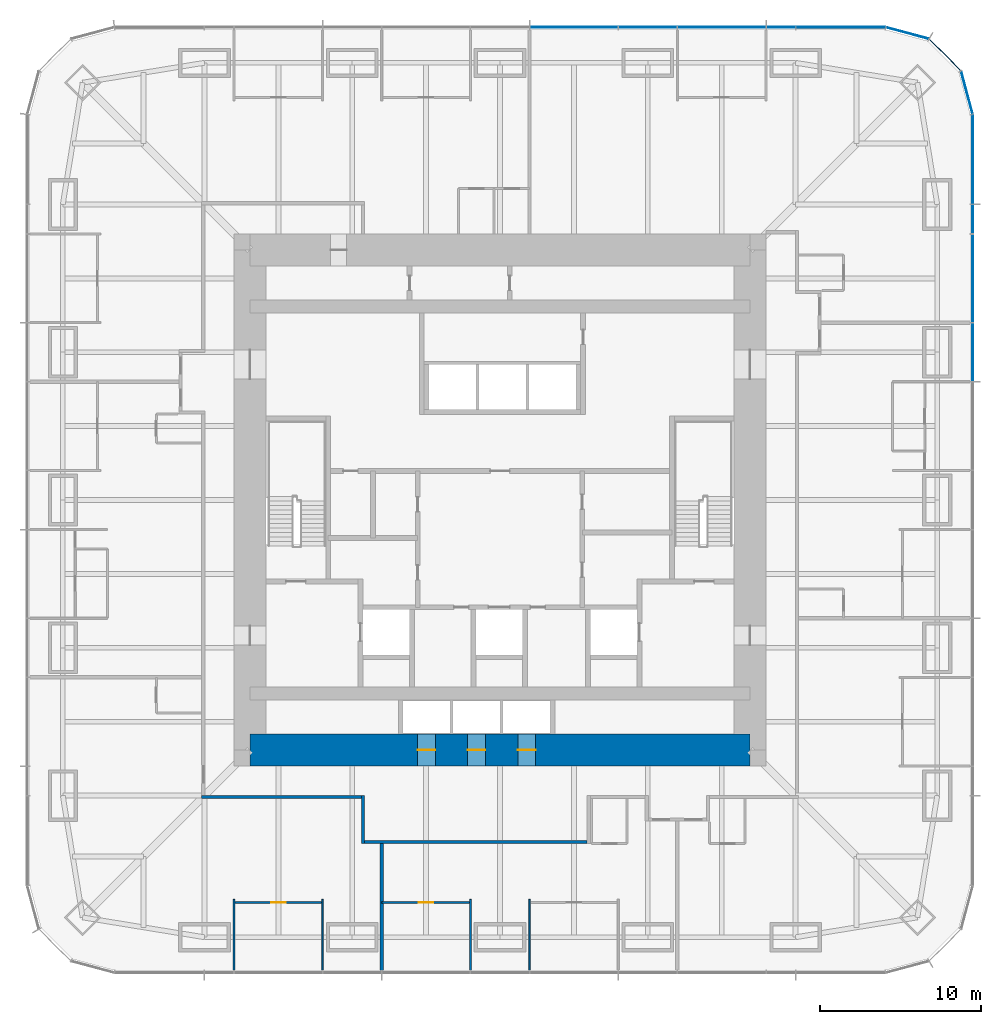
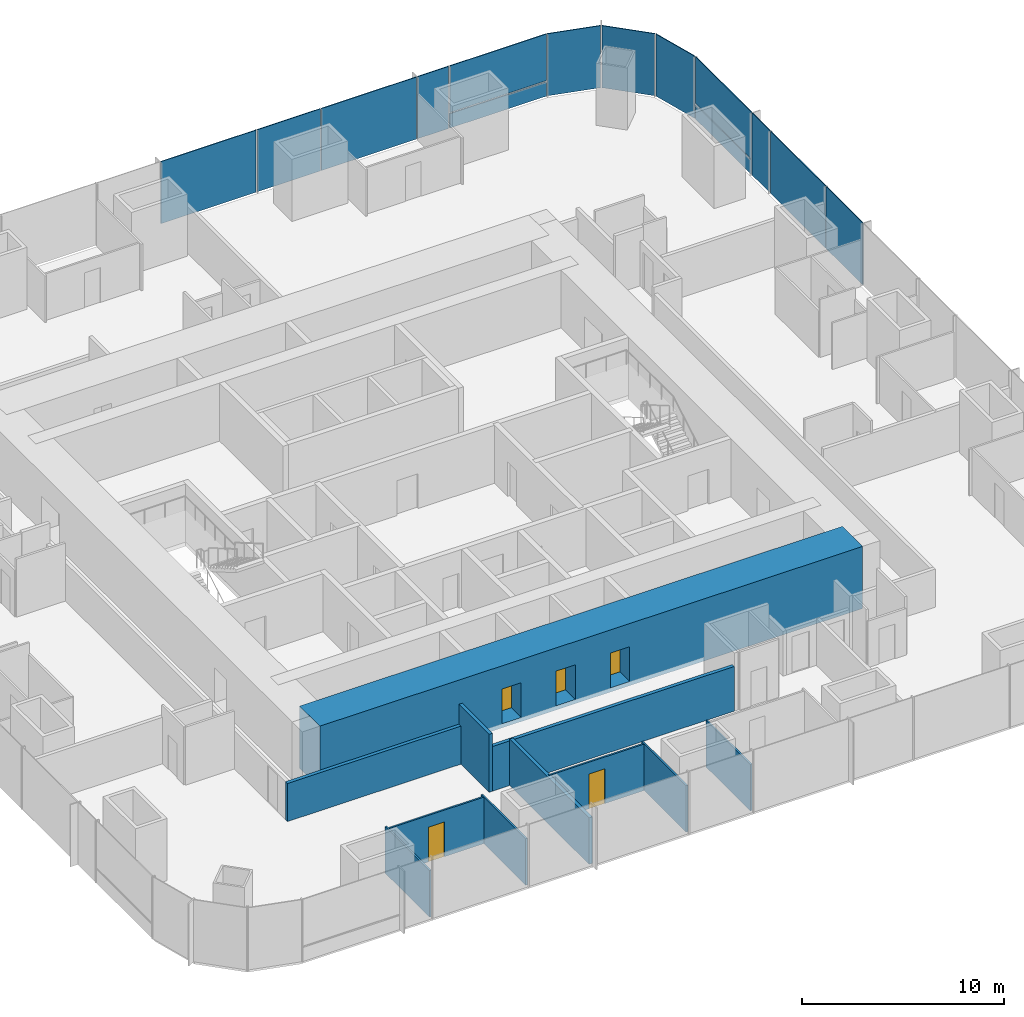
# One storey, part 8 of 13: 14 plates, 11 walls, 5 doors, 5 openings, 3 elements without a shape of their own.
"""IFC4 building model written with IfcOpenShell, lengths in metres."""

from ifc_helpers import new_model, si_unit, direction, frame, frame_2d, origin, origin_2d, place, context, subcontext, project, spatial, rectangle, extrude, material, layer, layer_set, type_object, element, fill, aggregate, save


model = new_model("IFC4")

# Units and contexts
model_context = context("Model", 3, precision=1e-05, world=origin(), true_north=direction((0.0, 1.0)))
body_context = subcontext(model_context, "Body", "Model", "MODEL_VIEW")
ifc_project = project(units=[si_unit("LENGTHUNIT", "METRE"), si_unit("AREAUNIT", "SQUARE_METRE"), si_unit("VOLUMEUNIT", "CUBIC_METRE"), si_unit("PLANEANGLEUNIT", "RADIAN"), si_unit("MASSUNIT", "GRAM", prefix="KILO")], contexts=[model_context])

# Site, building, storey
site_placement = place(None, origin())
site = spatial("IfcSite", under=ifc_project, at=site_placement, CompositionType="ELEMENT")
building_placement = place(site_placement, origin())
building = spatial("IfcBuilding", under=site, at=building_placement, Name="Khuree Lantern Residences", CompositionType="ELEMENT")
storey_placement = place(building_placement, frame((0.0, 0.0, 118.5)))
storey = spatial("IfcBuildingStorey", under=building, at=storey_placement, Name="L29", CompositionType="ELEMENT", Elevation=118.5)

# Curtain wall, plates
ifc_material_1 = material(Name="Bronze anodised aluminium", Category="aluminium")
curtain_wall_type_1 = type_object("IfcCurtainWallType", Name="CW-T2 TOWER CORNER CURTAIN WALL", PredefinedType="USERDEFINED", material=ifc_material_1)
curtain_wall_1_placement = place(storey_placement, origin())
curtain_wall_1 = element("IfcCurtainWall", 1, at=curtain_wall_1_placement, inside=storey, type_object=curtain_wall_type_1, Name="L29 NORTH-EAST CORNER CURTAIN WALL", ObjectType="Faceted corner curtain wall", PredefinedType="USERDEFINED")
ifc_material_2 = material(Name="Bronze tinted triple glazing", Category="glass")
ifc_layer_1 = layer(ifc_material_2, 0.048095703125)
ifc_layer_set_1 = layer_set([ifc_layer_1], Name="FACET PANEL P4")
plate_type_1 = type_object("IfcPlateType", Name="FACET PANEL P4", PredefinedType="CURTAIN_PANEL", material=ifc_layer_set_1)
plate_1_placement = place(storey_placement, frame((28.938720703125, 25.248046875, 0.0), z_axis=(0.0, 0.0, 1.0), x_axis=(-0.258819105321, 0.965925810153, 0.0)))
plate_1 = element("IfcPlate", 2, at=plate_1_placement, type_object=plate_type_1, Name="L29 NORTH-EAST CORNER PANEL 15.1", PredefinedType="CURTAIN_PANEL", context=body_context, shape_type="SweptSolid", body=[
    extrude(rectangle(XDim=2.71923828125, YDim=0.048095703125, at=origin_2d()), origin(), (0.0, 0.0, 1.0), 3.75),
])
plate_2_placement = place(storey_placement, frame((27.58837890625, 27.58837890625, 0.0), z_axis=(0.0, 0.0, 1.0), x_axis=(-0.707106781187, 0.707106781187, 0.0)))
plate_2 = element("IfcPlate", 3, at=plate_2_placement, type_object=plate_type_1, Name="L29 NORTH-EAST CORNER PANEL 16.1", PredefinedType="CURTAIN_PANEL", context=body_context, shape_type="SweptSolid", body=[
    extrude(rectangle(XDim=2.715087890625, YDim=0.048095703125, at=origin_2d()), origin(), (0.0, 0.0, 1.0), 3.75),
])
plate_3_placement = place(storey_placement, frame((25.248046875, 28.938720703125, 0.0), z_axis=(0.0, 0.0, 1.0), x_axis=(-0.965925810153, 0.258819105321, 0.0)))
plate_3 = element("IfcPlate", 4, at=plate_3_placement, type_object=plate_type_1, Name="L29 NORTH-EAST CORNER PANEL 17.1", PredefinedType="CURTAIN_PANEL", context=body_context, shape_type="SweptSolid", body=[
    extrude(rectangle(XDim=2.71923828125, YDim=0.048095703125, at=origin_2d()), origin(), (0.0, 0.0, 1.0), 3.75),
])
aggregate(curtain_wall_1, [plate_1, plate_2, plate_3])

# Curtain wall, plate
curtain_wall_type_2 = type_object("IfcCurtainWallType", Name="CW-T1 TOWER FACE CURTAIN WALL", PredefinedType="USERDEFINED", material=ifc_material_1)
curtain_wall_2_placement = place(storey_placement, origin())
curtain_wall_2 = element("IfcCurtainWall", 5, at=curtain_wall_2_placement, inside=storey, type_object=curtain_wall_type_2, Name="L29 EAST FACE CURTAIN WALL", ObjectType="Stick-built curtain wall", PredefinedType="USERDEFINED")
ifc_material_3 = material(Name="Bronze tinted triple glazing with a ceramic-fritted spandrel band", Category="glass")
ifc_layer_2 = layer(ifc_material_3, 0.048095703125)
ifc_layer_set_2 = layer_set([ifc_layer_2], Name="FIXED LIGHT PANEL P11")
plate_type_2 = type_object("IfcPlateType", Name="FIXED LIGHT PANEL P11", PredefinedType="CURTAIN_PANEL", material=ifc_layer_set_2)
plate_4_placement = place(storey_placement, frame((29.300048828125, 13.739990234375, 0.0), z_axis=(0.0, 0.0, 1.0), x_axis=(0.0, 1.0, 0.0)))
plate_4 = element("IfcPlate", 6, at=plate_4_placement, type_object=plate_type_2, Name="L29 EAST FACE PANEL 12.1", PredefinedType="CURTAIN_PANEL", context=body_context, shape_type="SweptSolid", body=[
    extrude(rectangle(XDim=5.430908203125, YDim=0.048095703125, at=origin_2d()), origin(), (0.0, 0.0, 1.0), 3.75),
])

# Curtain wall, plates
curtain_wall_3_placement = place(storey_placement, origin())
curtain_wall_3 = element("IfcCurtainWall", 7, at=curtain_wall_3_placement, inside=storey, type_object=curtain_wall_type_2, Name="L29 NORTH FACE CURTAIN WALL", ObjectType="Stick-built curtain wall", PredefinedType="USERDEFINED")
plate_5_placement = place(storey_placement, frame((13.739990234375, 29.300048828125, 0.0), z_axis=(0.0, 0.0, 1.0), x_axis=(-1.0, 0.0, 0.0)))
plate_5 = element("IfcPlate", 8, at=plate_5_placement, type_object=plate_type_2, Name="L29 NORTH FACE PANEL 20.1", PredefinedType="CURTAIN_PANEL", context=body_context, shape_type="SweptSolid", body=[
    extrude(rectangle(XDim=5.430908203125, YDim=0.048095703125, at=origin_2d()), origin(), (0.0, 0.0, 1.0), 3.75),
])
plate_6_placement = place(storey_placement, frame((4.580078125, 29.300048828125, 0.0), z_axis=(0.0, 0.0, 1.0), x_axis=(-1.0, 0.0, 0.0)))
plate_6 = element("IfcPlate", 9, at=plate_6_placement, type_object=plate_type_2, Name="L29 NORTH FACE PANEL 22.1", PredefinedType="CURTAIN_PANEL", context=body_context, shape_type="SweptSolid", body=[
    extrude(rectangle(XDim=5.430908203125, YDim=0.048095703125, at=origin_2d()), origin(), (0.0, 0.0, 1.0), 3.75),
])

# Plate
ifc_material_4 = material(Name="Bronze tinted triple glazing, two aluminium-framed sashes in one frame", Category="aluminium")
ifc_layer_3 = layer(ifc_material_4, 0.048095703125)
ifc_layer_set_3 = layer_set([ifc_layer_3], Name="SASH PAIR PANEL P12")
plate_type_3 = type_object("IfcPlateType", Name="SASH PAIR PANEL P12", PredefinedType="CURTAIN_PANEL", material=ifc_layer_set_3)
plate_7_placement = place(storey_placement, frame((29.300048828125, 9.159912109375, 0.0), z_axis=(0.0, 0.0, 1.0), x_axis=(0.0, 1.0, 0.0)))
plate_7 = element("IfcPlate", 10, at=plate_7_placement, type_object=plate_type_3, Name="L29 EAST FACE PANEL 11.1", PredefinedType="CURTAIN_PANEL", context=body_context, shape_type="SweptSolid", body=[
    extrude(rectangle(XDim=3.59912109375, YDim=0.048095703125, at=origin_2d()), origin(), (0.0, 0.0, 1.0), 3.75),
])

plate_8_placement = place(storey_placement, frame((9.159912109375, 29.300048828125, 0.0), z_axis=(0.0, 0.0, 1.0), x_axis=(-1.0, 0.0, 0.0)))
plate_8 = element("IfcPlate", 11, at=plate_8_placement, type_object=plate_type_3, Name="L29 NORTH FACE PANEL 21.1", PredefinedType="CURTAIN_PANEL", context=body_context, shape_type="SweptSolid", body=[
    extrude(rectangle(XDim=3.59912109375, YDim=0.048095703125, at=origin_2d()), origin(), (0.0, 0.0, 1.0), 3.75),
])

ifc_material_5 = material(Name="Bronze tinted triple glazing, aluminium-framed sash", Category="aluminium")
ifc_layer_4 = layer(ifc_material_5, 0.048095703125)
ifc_layer_set_4 = layer_set([ifc_layer_4], Name="SASH PANEL P3")
plate_type_4 = type_object("IfcPlateType", Name="SASH PANEL P3", PredefinedType="CURTAIN_PANEL", material=ifc_layer_set_4)
plate_9_placement = place(storey_placement, frame((29.300048828125, 17.404052734375, 0.0), z_axis=(0.0, 0.0, 1.0), x_axis=(0.0, 1.0, 0.0)))
plate_9 = element("IfcPlate", 12, at=plate_9_placement, type_object=plate_type_4, Name="L29 EAST FACE PANEL 13.1", PredefinedType="CURTAIN_PANEL", context=body_context, shape_type="SweptSolid", body=[
    extrude(rectangle(XDim=1.76708984375, YDim=0.048095703125, at=origin_2d()), origin(), (0.0, 0.0, 1.0), 3.75),
])

plate_10_placement = place(storey_placement, frame((17.404052734375, 29.300048828125, 0.0), z_axis=(0.0, 0.0, 1.0), x_axis=(-1.0, 0.0, 0.0)))
plate_10 = element("IfcPlate", 13, at=plate_10_placement, type_object=plate_type_4, Name="L29 NORTH FACE PANEL 19.1", PredefinedType="CURTAIN_PANEL", context=body_context, shape_type="SweptSolid", body=[
    extrude(rectangle(XDim=1.76708984375, YDim=0.048095703125, at=origin_2d()), origin(), (0.0, 0.0, 1.0), 3.75),
])

ifc_material_6 = material(Name="Bronze anodised aluminium insulated spandrel", Category="aluminium")
ifc_layer_5 = layer(ifc_material_6, 0.06005859375)
ifc_layer_set_5 = layer_set([ifc_layer_5], Name="SPANDREL PANEL P2")
plate_type_5 = type_object("IfcPlateType", Name="SPANDREL PANEL P2", PredefinedType="CURTAIN_PANEL", material=ifc_layer_set_5)
plate_11_placement = place(storey_placement, frame((29.300048828125, 21.10791015625, 0.0), z_axis=(0.0, 0.0, 1.0), x_axis=(0.0, 1.0, 0.0)))
plate_11 = element("IfcPlate", 14, at=plate_11_placement, type_object=plate_type_5, Name="L29 EAST FACE PANEL 14.1", PredefinedType="CURTAIN_PANEL", context=body_context, shape_type="SweptSolid", body=[
    extrude(rectangle(XDim=5.5107421875, YDim=0.06005859375, at=origin_2d()), origin(), (0.0, 0.0, 1.0), 0.867431640625),
])

plate_12_placement = place(storey_placement, frame((21.10791015625, 29.300048828125, 0.0), z_axis=(0.0, 0.0, 1.0), x_axis=(-1.0, 0.0, 0.0)))
plate_12 = element("IfcPlate", 15, at=plate_12_placement, type_object=plate_type_5, Name="L29 NORTH FACE PANEL 18.1", PredefinedType="CURTAIN_PANEL", context=body_context, shape_type="SweptSolid", body=[
    extrude(rectangle(XDim=5.5107421875, YDim=0.06005859375, at=origin_2d()), origin(), (0.0, 0.0, 1.0), 0.867431640625),
])

ifc_layer_6 = layer(ifc_material_2, 0.048095703125)
ifc_layer_set_6 = layer_set([ifc_layer_6], Name="VISION PANEL P1")
plate_type_6 = type_object("IfcPlateType", Name="VISION PANEL P1", PredefinedType="CURTAIN_PANEL", material=ifc_layer_set_6)
plate_13_placement = place(storey_placement, frame((29.300048828125, 21.1083984375, 0.9326171875), z_axis=(0.0, 0.0, 1.0), x_axis=(0.0, 1.0, 0.0)))
plate_13 = element("IfcPlate", 16, at=plate_13_placement, type_object=plate_type_6, Name="L29 EAST FACE PANEL 14.2", PredefinedType="CURTAIN_PANEL", context=body_context, shape_type="SweptSolid", body=[
    extrude(rectangle(XDim=5.511474609375, YDim=0.048095703125, at=origin_2d()), origin(), (0.0, 0.0, 1.0), 2.8173828125),
])

aggregate(curtain_wall_2, [plate_7, plate_4, plate_9, plate_11, plate_13])

plate_14_placement = place(storey_placement, frame((21.1083984375, 29.300048828125, 0.9326171875), z_axis=(0.0, 0.0, 1.0), x_axis=(-1.0, 0.0, 0.0)))
plate_14 = element("IfcPlate", 17, at=plate_14_placement, type_object=plate_type_6, Name="L29 NORTH FACE PANEL 18.2", PredefinedType="CURTAIN_PANEL", context=body_context, shape_type="SweptSolid", body=[
    extrude(rectangle(XDim=5.511474609375, YDim=0.048095703125, at=origin_2d()), origin(), (0.0, 0.0, 1.0), 2.8173828125),
])

aggregate(curtain_wall_3, [plate_12, plate_14, plate_10, plate_5, plate_8, plate_6])

# Walls
ifc_material_7 = material(Name="Gypsum board on steel studs", Category="steel")
ifc_layer_7 = layer(ifc_material_7, 0.199951171875)
ifc_layer_set_7 = layer_set([ifc_layer_7], Name="CORRIDOR WALL CRW200 EI 60")
wall_type_1 = type_object("IfcWallType", Name="CORRIDOR WALL CRW200 EI 60", PredefinedType="PARTITIONING", material=ifc_layer_set_7)
wall_1_placement = place(storey_placement, frame((-8.5, -18.300048828125, 0.0), z_axis=(0.0, 0.0, 1.0), x_axis=(0.0, -1.0, 0.0)))
element("IfcWall", 18, at=wall_1_placement, inside=storey, type_object=wall_type_1, Name="L29 LIFT LOBBY WALL", PredefinedType="PARTITIONING", context=body_context, shape_type="SweptSolid", body=[
    extrude(rectangle(XDim=3.0, YDim=0.199951171875, at=frame_2d((1.5, 0.0))), origin(), (0.0, 0.0, 1.0), 3.5),
])
wall_2_placement = place(storey_placement, frame((5.39990234375, -21.199951171875, 0.0), z_axis=(0.0, 0.0, 1.0), x_axis=(-1.0, 0.0, 0.0)))
element("IfcWall", 19, at=wall_2_placement, inside=storey, type_object=wall_type_1, Name="L29 LIFT LOBBY WALL", PredefinedType="PARTITIONING", context=body_context, shape_type="SweptSolid", body=[
    extrude(rectangle(XDim=13.7998046875, YDim=0.199951171875, at=frame_2d((6.89990234375, 0.0))), origin(), (0.0, 0.0, 1.0), 2.699951171875),
])
wall_3_placement = place(storey_placement, frame((-8.60009765625, -18.39990234375, 0.0), z_axis=(0.0, 0.0, 1.0), x_axis=(-1.0, 0.0, 0.0)))
element("IfcWall", 20, at=wall_3_placement, inside=storey, type_object=wall_type_1, Name="L29 CORRIDOR WALL SOUTH 3", PredefinedType="PARTITIONING", context=body_context, shape_type="SweptSolid", body=[
    extrude(rectangle(XDim=9.89990234375, YDim=0.199951171875, at=frame_2d((4.949951171875, 0.0))), origin(), (0.0, 0.0, 1.0), 2.300048828125),
])

# Wall, openings, doors
ifc_material_8 = material(Name="Concrete C70/85", Category="concrete")
ifc_layer_8 = layer(ifc_material_8, 2.0)
ifc_layer_set_8 = layer_set([ifc_layer_8], Name="CW2000-C70 CORE WALL C70 2000")
wall_type_2 = type_object("IfcWallType", Name="CW2000-C70 CORE WALL C70 2000", PredefinedType="SHEAR", material=ifc_layer_set_8)
wall_4_placement = place(storey_placement, frame((-15.5, -15.5, -0.25), z_axis=(0.0, 0.0, 1.0), x_axis=(1.0, 0.0, 0.0)))
wall_4 = element("IfcWall", 21, at=wall_4_placement, inside=storey, type_object=wall_type_2, Name="Core wall S", PredefinedType="SHEAR", context=body_context, shape_type="SweptSolid", body=[
    extrude(rectangle(XDim=31.0, YDim=2.0, at=frame_2d((15.5, 0.0))), origin(), (0.0, 0.0, 1.0), 3.75),
])
opening_1_placement = place(wall_4_placement, frame((10.39990234375, 0.0, 0.25)))
opening_1 = element("IfcOpeningElement", 22, at=opening_1_placement, cuts=wall_4, Name="Opening 29-009", PredefinedType="OPENING", context=body_context, shape_type="SweptSolid", body=[
    extrude(rectangle(XDim=1.10009765625, YDim=2.10009765625, at=frame_2d((0.550048828125, 1.050048828125))), frame((0.0, 1.010009765625, 0.0), z_axis=(0.0, -1.0, 0.0), x_axis=(1.0, 0.0, 0.0)), (0.0, 0.0, 1.0), 2.02001953125),
])
opening_2_placement = place(wall_4_placement, frame((13.5, 0.0, 0.25)))
opening_2 = element("IfcOpeningElement", 23, at=opening_2_placement, cuts=wall_4, Name="Opening 29-010", PredefinedType="OPENING", context=body_context, shape_type="SweptSolid", body=[
    extrude(rectangle(XDim=1.10009765625, YDim=2.10009765625, at=frame_2d((0.550048828125, 1.050048828125))), frame((0.0, 1.010009765625, 0.0), z_axis=(0.0, -1.0, 0.0), x_axis=(1.0, 0.0, 0.0)), (0.0, 0.0, 1.0), 2.02001953125),
])
opening_3_placement = place(wall_4_placement, frame((16.60009765625, 0.0, 0.25)))
opening_3 = element("IfcOpeningElement", 24, at=opening_3_placement, cuts=wall_4, Name="Opening 29-011", PredefinedType="OPENING", context=body_context, shape_type="SweptSolid", body=[
    extrude(rectangle(XDim=1.10009765625, YDim=2.10009765625, at=frame_2d((0.550048828125, 1.050048828125))), frame((0.0, 1.010009765625, 0.0), z_axis=(0.0, -1.0, 0.0), x_axis=(1.0, 0.0, 0.0)), (0.0, 0.0, 1.0), 2.02001953125),
])
ifc_material_9 = material(Name="Stainless steel lift landing door", Category="steel")
door_type_1 = type_object("IfcDoorType", Name="LIFT LANDING DOOR 1100X2100 E 60", OperationType="DOUBLE_DOOR_SLIDING", PredefinedType="DOOR", material=ifc_material_9)
door_1_placement = place(opening_1_placement, origin())
door_1 = element("IfcDoor", 25, at=door_1_placement, inside=storey, type_object=door_type_1, Name="Landing door PM1 29-009", OperationType="DOUBLE_DOOR_SLIDING", OverallHeight=2.10009765625, OverallWidth=1.10009765625, PredefinedType="DOOR", context=body_context, shape_type="SweptSolid", body=[
    extrude(rectangle(XDim=1.10009765625, YDim=2.10009765625, at=frame_2d((0.550048828125, 1.050048828125))), frame((0.0, 0.02490234375, 0.0), z_axis=(0.0, -1.0, 0.0), x_axis=(1.0, 0.0, 0.0)), (0.0, 0.0, 1.0), 0.050048828125),
])
fill(opening_1, door_1)
door_2_placement = place(opening_2_placement, origin())
door_2 = element("IfcDoor", 26, at=door_2_placement, inside=storey, type_object=door_type_1, Name="Landing door PM2 29-010", OperationType="DOUBLE_DOOR_SLIDING", OverallHeight=2.10009765625, OverallWidth=1.10009765625, PredefinedType="DOOR", context=body_context, shape_type="SweptSolid", body=[
    extrude(rectangle(XDim=1.10009765625, YDim=2.10009765625, at=frame_2d((0.550048828125, 1.050048828125))), frame((0.0, 0.02490234375, 0.0), z_axis=(0.0, -1.0, 0.0), x_axis=(1.0, 0.0, 0.0)), (0.0, 0.0, 1.0), 0.050048828125),
])
fill(opening_2, door_2)
door_3_placement = place(opening_3_placement, origin())
door_3 = element("IfcDoor", 27, at=door_3_placement, inside=storey, type_object=door_type_1, Name="Landing door PM3 29-011", OperationType="DOUBLE_DOOR_SLIDING", OverallHeight=2.10009765625, OverallWidth=1.10009765625, PredefinedType="DOOR", context=body_context, shape_type="SweptSolid", body=[
    extrude(rectangle(XDim=1.10009765625, YDim=2.10009765625, at=frame_2d((0.550048828125, 1.050048828125))), frame((0.0, 0.02490234375, 0.0), z_axis=(0.0, -1.0, 0.0), x_axis=(1.0, 0.0, 0.0)), (0.0, 0.0, 1.0), 0.050048828125),
])
fill(opening_3, door_3)

# Walls
ifc_layer_9 = layer(ifc_material_7, 0.199951171875)
ifc_layer_set_9 = layer_set([ifc_layer_9], Name="DEMISING WALL DMW200 EI 90")
wall_type_3 = type_object("IfcWallType", Name="DEMISING WALL DMW200 EI 90", PredefinedType="PARTITIONING", material=ifc_layer_set_9)
wall_5_placement = place(storey_placement, frame((-7.327880859375, -21.300048828125, 0.0), z_axis=(0.0, 0.0, 1.0), x_axis=(0.0, -1.0, 0.0)))
element("IfcWall", 28, at=wall_5_placement, inside=storey, type_object=wall_type_3, Name="L29 DEMISING WALL 06", PredefinedType="PARTITIONING", context=body_context, shape_type="SweptSolid", body=[
    extrude(rectangle(XDim=7.849853515625, YDim=0.199951171875, at=frame_2d((3.9248046875, 0.0))), origin(), (0.0, 0.0, 1.0), 2.81005859375),
])
ifc_layer_10 = layer(ifc_material_7, 0.10009765625)
ifc_layer_set_10 = layer_set([ifc_layer_10], Name="PARTITION PT100")
wall_type_4 = type_object("IfcWallType", Name="PARTITION PT100", PredefinedType="PARTITIONING", material=ifc_layer_set_10)
for number, where, z_axis, x_axis, name in (
    (29, (-16.488037109375, -24.75, 0.0), (0.0, 0.0, 1.0), (0.0, -1.0, 0.0), "L29 PARTITION 05"),
    (30, (-10.991943359375, -24.75, 0.0), (0.0, 0.0, 1.0), (0.0, -1.0, 0.0), "L29 PARTITION 05"),
    (31, (-1.83203125, -24.75, 0.0), (0.0, 0.0, 1.0), (0.0, -1.0, 0.0), "L29 PARTITION 06"),
    (32, (1.83203125, -24.75, 0.0), (0.0, 0.0, 1.0), (0.0, -1.0, 0.0), "L29 PARTITION 06"),
):
    element("IfcWall", number, at=place(storey_placement, frame(where, z_axis=z_axis, x_axis=x_axis)), inside=storey, type_object=wall_type_4, Name=name, PredefinedType="PARTITIONING", context=body_context, shape_type="SweptSolid", body=[
        extrude(rectangle(XDim=4.39990234375, YDim=0.10009765625, at=frame_2d((2.199951171875, 0.0))), origin(), (0.0, 0.0, 1.0), 2.81005859375),
    ])

# Wall, opening, door
wall_6_placement = place(storey_placement, frame((-16.488037109375, -24.949951171875, 0.0), z_axis=(0.0, 0.0, 1.0), x_axis=(1.0, 0.0, 0.0)))
wall_6 = element("IfcWall", 33, at=wall_6_placement, inside=storey, type_object=wall_type_4, Name="L29 PARTITION 05", PredefinedType="PARTITIONING", context=body_context, shape_type="SweptSolid", body=[
    extrude(rectangle(XDim=5.49609375, YDim=0.10009765625, at=frame_2d((2.748046875, 0.0))), origin(), (0.0, 0.0, 1.0), 2.81005859375),
])
opening_4_placement = place(wall_6_placement, frame((2.298095703125, 0.0, 0.0)))
opening_4 = element("IfcOpeningElement", 34, at=opening_4_placement, cuts=wall_6, Name="Opening 29-044", PredefinedType="OPENING", context=body_context, shape_type="SweptSolid", body=[
    extrude(rectangle(XDim=0.89990234375, YDim=2.10009765625, at=frame_2d((0.449951171875, 1.050048828125))), frame((0.0, 0.06005859375, 0.0), z_axis=(0.0, -1.0, 0.0), x_axis=(1.0, 0.0, 0.0)), (0.0, 0.0, 1.0), 0.1201171875),
])
ifc_material_10 = material(Name="Timber door leaf in hardwood frame", Category="wood")
door_type_2 = type_object("IfcDoorType", Name="BEDROOM DOOR 900X2100", OperationType="SINGLE_SWING_LEFT", PredefinedType="DOOR", material=ifc_material_10)
door_4_placement = place(opening_4_placement, origin())
door_4 = element("IfcDoor", 35, at=door_4_placement, inside=storey, type_object=door_type_2, Name="Bedroom door 29-044", OperationType="SINGLE_SWING_LEFT", OverallHeight=2.10009765625, OverallWidth=0.89990234375, PredefinedType="DOOR", context=body_context, shape_type="SweptSolid", body=[
    extrude(rectangle(XDim=0.89990234375, YDim=2.10009765625, at=frame_2d((0.449951171875, 1.050048828125))), frame((0.0, 0.02490234375, 0.0), z_axis=(0.0, -1.0, 0.0), x_axis=(1.0, 0.0, 0.0)), (0.0, 0.0, 1.0), 0.050048828125),
])
fill(opening_4, door_4)

wall_7_placement = place(storey_placement, frame((-7.327880859375, -24.949951171875, 0.0), z_axis=(0.0, 0.0, 1.0), x_axis=(1.0, 0.0, 0.0)))
wall_7 = element("IfcWall", 36, at=wall_7_placement, inside=storey, type_object=wall_type_4, Name="L29 PARTITION 06", PredefinedType="PARTITIONING", context=body_context, shape_type="SweptSolid", body=[
    extrude(rectangle(XDim=5.495849609375, YDim=0.10009765625, at=frame_2d((2.748046875, 0.0))), origin(), (0.0, 0.0, 1.0), 2.81005859375),
])
opening_5_placement = place(wall_7_placement, frame((2.298095703125, 0.0, 0.0)))
opening_5 = element("IfcOpeningElement", 37, at=opening_5_placement, cuts=wall_7, Name="Opening 29-047", PredefinedType="OPENING", context=body_context, shape_type="SweptSolid", body=[
    extrude(rectangle(XDim=0.89990234375, YDim=2.10009765625, at=frame_2d((0.449951171875, 1.050048828125))), frame((0.0, 0.06005859375, 0.0), z_axis=(0.0, -1.0, 0.0), x_axis=(1.0, 0.0, 0.0)), (0.0, 0.0, 1.0), 0.1201171875),
])
door_5_placement = place(opening_5_placement, origin())
door_5 = element("IfcDoor", 38, at=door_5_placement, inside=storey, type_object=door_type_2, Name="Bedroom door 29-047", OperationType="SINGLE_SWING_LEFT", OverallHeight=2.10009765625, OverallWidth=0.89990234375, PredefinedType="DOOR", context=body_context, shape_type="SweptSolid", body=[
    extrude(rectangle(XDim=0.89990234375, YDim=2.10009765625, at=frame_2d((0.449951171875, 1.050048828125))), frame((0.0, 0.02490234375, 0.0), z_axis=(0.0, -1.0, 0.0), x_axis=(1.0, 0.0, 0.0)), (0.0, 0.0, 1.0), 0.050048828125),
])
fill(opening_5, door_5)

save(model, "model.ifc")
